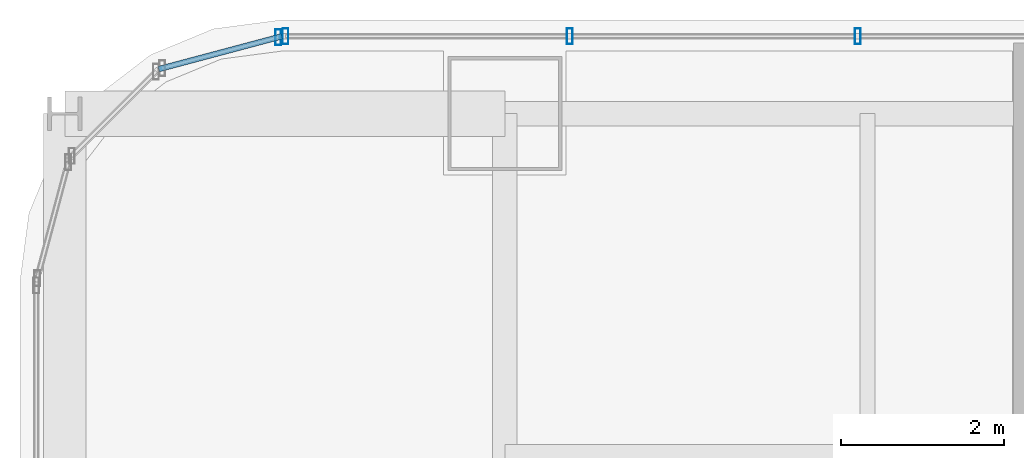
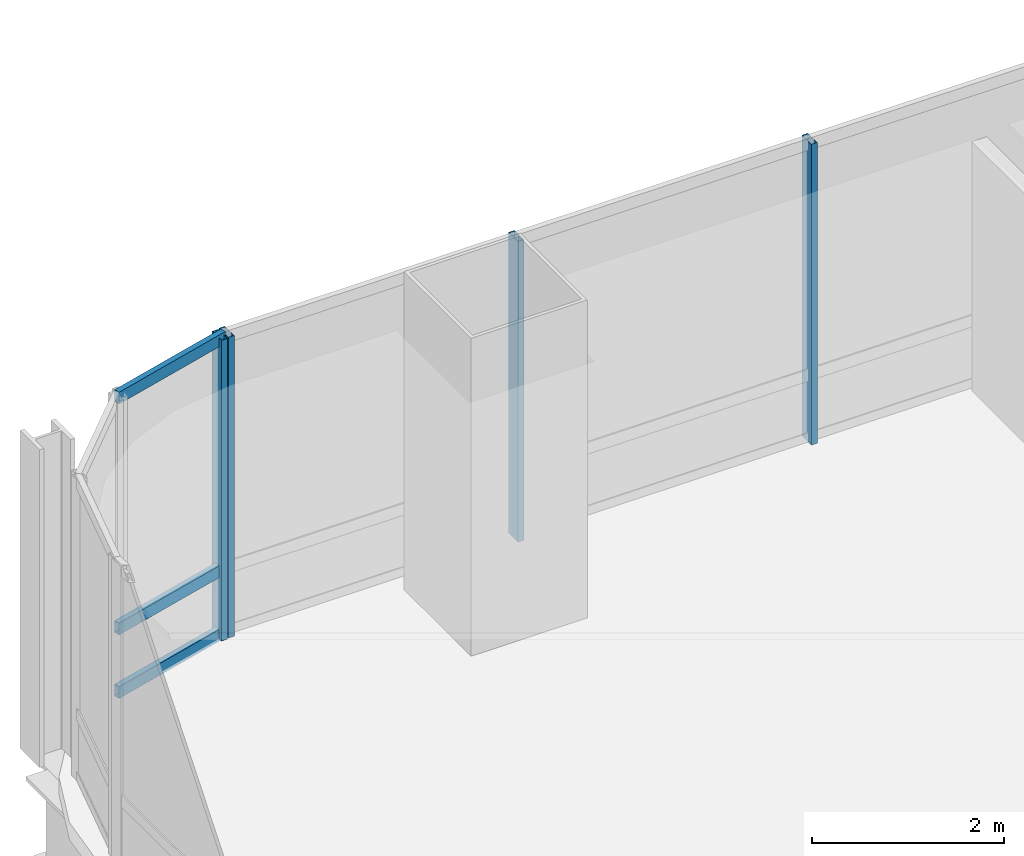
# One storey, part 20 of 36: 7 members, 2 elements without a shape of their own.
"""IFC4 building model written with IfcOpenShell, lengths in metres."""

from ifc_helpers import new_model, si_unit, direction, frame, origin, origin_2d, place, context, subcontext, project, spatial, hollow_rectangle, extrude, material, material_profile, profile_set, type_object, element, aggregate, save


model = new_model("IFC4")

# Units and contexts
model_context = context("Model", 3, precision=1e-05, world=origin(), true_north=direction((0.0, 1.0)))
body_context = subcontext(model_context, "Body", "Model", "MODEL_VIEW")
ifc_project = project(units=[si_unit("LENGTHUNIT", "METRE"), si_unit("AREAUNIT", "SQUARE_METRE"), si_unit("VOLUMEUNIT", "CUBIC_METRE"), si_unit("PLANEANGLEUNIT", "RADIAN"), si_unit("MASSUNIT", "GRAM", prefix="KILO")], contexts=[model_context])

# Site, building, storey
site_placement = place(None, origin())
site = spatial("IfcSite", under=ifc_project, at=site_placement, CompositionType="ELEMENT")
building_placement = place(site_placement, origin())
building = spatial("IfcBuilding", under=site, at=building_placement, Name="Punatoya Terracotta Tower", CompositionType="ELEMENT")
storey_placement = place(building_placement, frame((0.0, 0.0, 196.5)))
storey = spatial("IfcBuildingStorey", under=building, at=storey_placement, Name="L46", CompositionType="ELEMENT", Elevation=196.5)

# Curtain wall, members
ifc_material_1 = material(Name="Aluminium 6063-T6 + Double Low-E Glass", Category="aluminium")
curtain_wall_type = type_object("IfcCurtainWallType", Name="CW-M2", PredefinedType="NOTDEFINED", material=ifc_material_1)
curtain_wall_1_placement = place(storey_placement, origin())
curtain_wall_1 = element("IfcCurtainWall", 1, at=curtain_wall_1_placement, inside=storey, type_object=curtain_wall_type, Name="L46 Curtain Wall CW-L46-N09-1", PredefinedType="NOTDEFINED")
ifc_material_2 = material(Name="Aluminium 6063-T6", Category="aluminium")
ifc_material_profile_1 = material_profile(ifc_material_2, hollow_rectangle(XDim=0.072021484375, YDim=0.195068359375, WallThickness=0.00439453125, at=origin_2d()))
ifc_profile_set_1 = profile_set([ifc_material_profile_1], Name="Aluminium 6063-T6")
member_type_1 = type_object("IfcMemberType", Name="CW-MUL-M2", PredefinedType="MULLION", material=ifc_profile_set_1)
member_1_placement = place(storey_placement, frame((-14.768798828125, 18.449951171875, 0.0), z_axis=(0.0, 0.0, 1.0), x_axis=(1.0, 0.0, 0.0)))
member_1 = element("IfcMember", 2, at=member_1_placement, type_object=member_type_1, Name="CW-L46-N09-1 Mullion 09", PredefinedType="MULLION", context=body_context, shape_type="SweptSolid", body=[
    extrude(hollow_rectangle(XDim=0.072021484375, YDim=0.195068359375, WallThickness=0.00439453125, at=origin_2d()), origin(), (0.0, 0.0, 1.0), 3.830078125),
])
member_2_placement = place(storey_placement, frame((-18.302978515625, 18.449951171875, 0.0), z_axis=(0.0, 0.0, 1.0), x_axis=(1.0, 0.0, 0.0)))
member_2 = element("IfcMember", 3, at=member_2_placement, type_object=member_type_1, Name="CW-L46-N09-1 Mullion 10", PredefinedType="MULLION", context=body_context, shape_type="SweptSolid", body=[
    extrude(hollow_rectangle(XDim=0.072021484375, YDim=0.195068359375, WallThickness=0.00439453125, at=origin_2d()), origin(), (0.0, 0.0, 1.0), 3.830078125),
])
member_3_placement = place(storey_placement, frame((-21.7919921875, 18.449951171875, 0.0), z_axis=(0.0, 0.0, 1.0), x_axis=(1.0, 0.0, 0.0)))
member_3 = element("IfcMember", 4, at=member_3_placement, type_object=member_type_1, Name="CW-L46-N09-1 Mullion 11", PredefinedType="MULLION", context=body_context, shape_type="SweptSolid", body=[
    extrude(hollow_rectangle(XDim=0.072021484375, YDim=0.195068359375, WallThickness=0.00439453125, at=origin_2d()), origin(), (0.0, 0.0, 1.0), 3.830078125),
])
aggregate(curtain_wall_1, [member_1, member_2, member_3])

curtain_wall_2_placement = place(storey_placement, origin())
curtain_wall_2 = element("IfcCurtainWall", 5, at=curtain_wall_2_placement, inside=storey, type_object=curtain_wall_type, Name="L46 Curtain Wall CW-L46-CRN10", PredefinedType="NOTDEFINED")
member_4_placement = place(storey_placement, frame((-21.88037109375, 18.4384765625, 0.0), z_axis=(0.0, 0.0, 1.0), x_axis=(1.0, 0.0, 0.0)))
member_4 = element("IfcMember", 6, at=member_4_placement, type_object=member_type_1, Name="CW-L46-CRN10 Mullion 00", PredefinedType="MULLION", context=body_context, shape_type="SweptSolid", body=[
    extrude(hollow_rectangle(XDim=0.072021484375, YDim=0.195068359375, WallThickness=0.00439453125, at=origin_2d()), origin(), (0.0, 0.0, 1.0), 3.830078125),
])
ifc_material_profile_2 = material_profile(ifc_material_2, hollow_rectangle(XDim=0.068115234375, YDim=0.14990234375, WallThickness=0.00390625, at=origin_2d()))
ifc_profile_set_2 = profile_set([ifc_material_profile_2], Name="Aluminium 6063-T6")
member_type_2 = type_object("IfcMemberType", Name="CW-TRN-TYP", PredefinedType="USERDEFINED", material=ifc_profile_set_2)
member_5_placement = place(storey_placement, frame((-21.8369140625, 18.449951171875, 0.0400390625), z_axis=(-0.966224582397, -0.257701486942, 0.0), x_axis=(0.257701486942, -0.966224582397, 0.0)))
member_5 = element("IfcMember", 7, at=member_5_placement, type_object=member_type_2, Name="CW-L46-CRN10 Transom 1", ObjectType="TRANSOM", PredefinedType="USERDEFINED", context=body_context, shape_type="SweptSolid", body=[
    extrude(hollow_rectangle(XDim=0.068115234375, YDim=0.14990234375, WallThickness=0.00390625, at=origin_2d()), origin(), (0.0, 0.0, 1.0), 1.565185546875),
])
member_6_placement = place(storey_placement, frame((-21.8369140625, 18.449951171875, 0.85009765625), z_axis=(-0.966224582397, -0.257701486942, 0.0), x_axis=(0.257701486942, -0.966224582397, 0.0)))
member_6 = element("IfcMember", 8, at=member_6_placement, type_object=member_type_2, Name="CW-L46-CRN10 Transom 2", ObjectType="TRANSOM", PredefinedType="USERDEFINED", context=body_context, shape_type="SweptSolid", body=[
    extrude(hollow_rectangle(XDim=0.068115234375, YDim=0.14990234375, WallThickness=0.00390625, at=origin_2d()), origin(), (0.0, 0.0, 1.0), 1.565185546875),
])
member_7_placement = place(storey_placement, frame((-21.8369140625, 18.449951171875, 3.7900390625), z_axis=(-0.966224582397, -0.257701486942, 0.0), x_axis=(0.257701486942, -0.966224582397, 0.0)))
member_7 = element("IfcMember", 9, at=member_7_placement, type_object=member_type_2, Name="CW-L46-CRN10 Transom 3", ObjectType="TRANSOM", PredefinedType="USERDEFINED", context=body_context, shape_type="SweptSolid", body=[
    extrude(hollow_rectangle(XDim=0.068115234375, YDim=0.14990234375, WallThickness=0.00390625, at=origin_2d()), origin(), (0.0, 0.0, 1.0), 1.565185546875),
])
aggregate(curtain_wall_2, [member_4, member_5, member_6, member_7])

save(model, "model.ifc")
